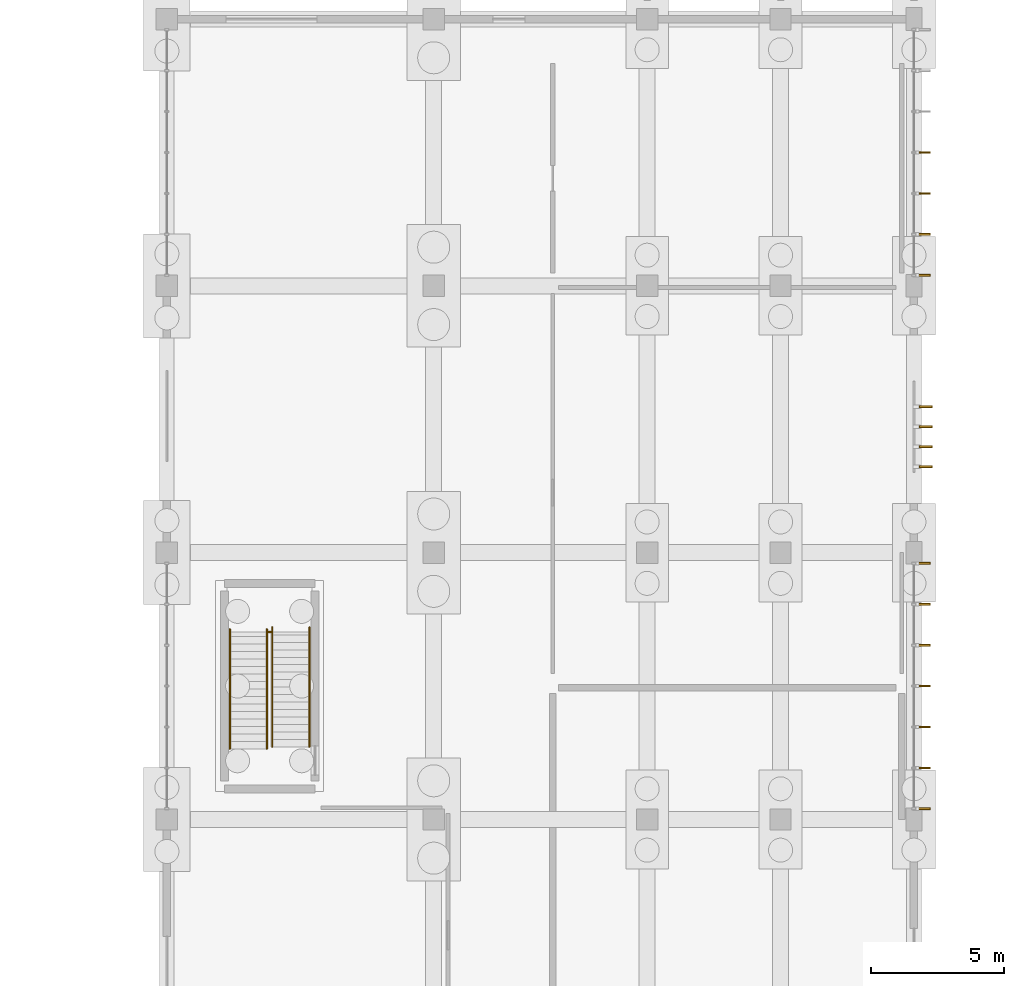
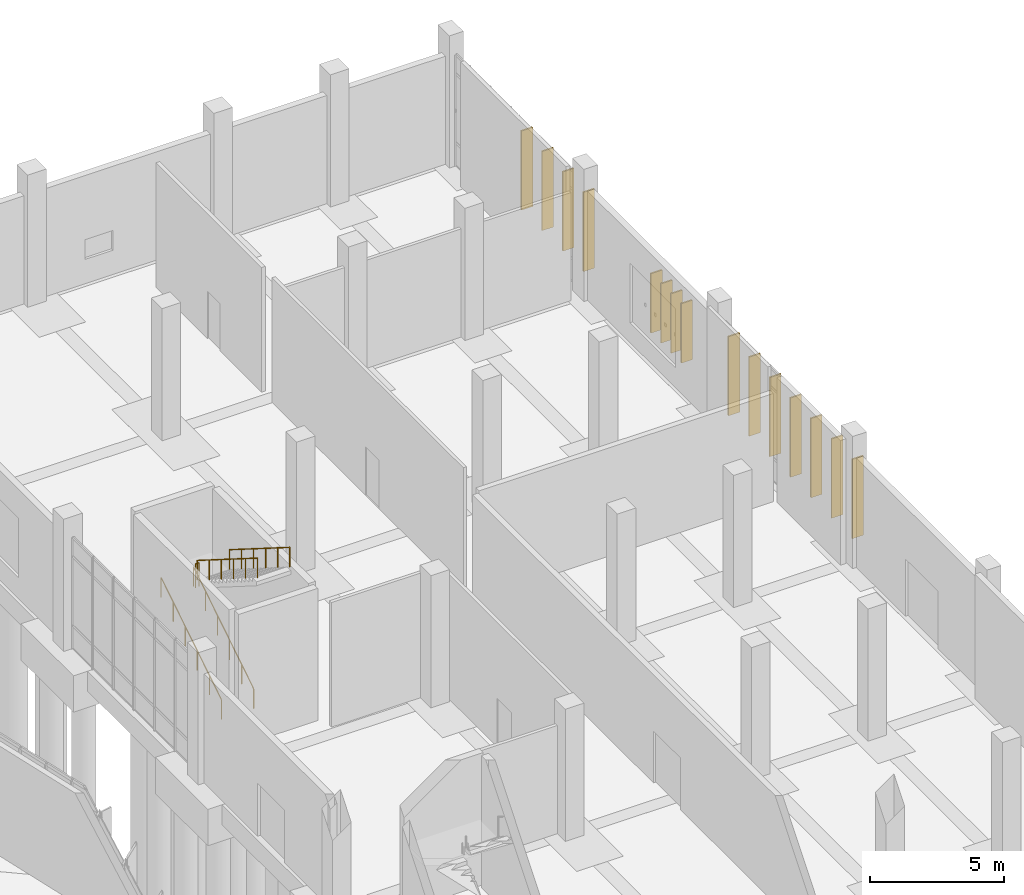
# One storey, part 136 of 140: 15 shading devices, 5 railings.
"""IFC4 building model written with IfcOpenShell, lengths in metres."""

import ifcopenshell
import ifcopenshell.guid

model = None  # the IFC model being written
_history = None  # IfcOwnerHistory: only IFC2X3 demands one
_inside = {}  # id of a spatial element -> (the spatial element, [elements in it])
_under = {}  # id of a project, library or spatial element -> (it, [spatial elements below it])
_declared = {}  # id of a project -> (the project, [libraries it declares])
_typed = {}  # id of a type object -> (the type object, [elements of that type])
_made_of = {}  # id of a material, layer set ... -> (it, [elements and type objects made of it])


def new_model(schema):
    """Start an empty IFC model of exactly this schema.

    Asked for "IFC4X3", IfcOpenShell would pick the latest addendum, in which some entities
    have other attributes; the version numbers below select the first issue.
    IFC2X3 requires an IfcOwnerHistory on every rooted entity: one is made here for all.
    """
    global model, _history
    if schema == "IFC4X3":
        model = ifcopenshell.file(schema_version=(4, 3, 0, 0))
    else:
        model = ifcopenshell.file(schema=schema)
    _inside.clear()
    _under.clear()
    _declared.clear()
    _typed.clear()
    _made_of.clear()
    _history = None
    if model.schema == "IFC2X3":
        org = make("IfcOrganization", Name="unknown")
        user = make(
            "IfcPersonAndOrganization",
            ThePerson=make("IfcPerson", FamilyName="unknown"),
            TheOrganization=org,
        )
        app = make(
            "IfcApplication",
            ApplicationDeveloper=org,
            Version="unknown",
            ApplicationFullName="unknown",
            ApplicationIdentifier="unknown",
        )
        _history = make(
            "IfcOwnerHistory",
            OwningUser=user,
            OwningApplication=app,
            ChangeAction="ADDED",
            CreationDate=0,
        )
    return model


def make(cls, **values):
    """One entity of the class cls with the attributes given. An attribute that is None is left unset."""
    return model.create_entity(
        cls, **{name: value for name, value in values.items() if value is not None}
    )


def rooted(cls, **values):
    """An entity with a GlobalId (a new one), such as an element, a storey or a relation."""
    return make(cls, GlobalId=ifcopenshell.guid.new(), OwnerHistory=_history, **values)


def si_unit(unit_type, name, prefix=None):
    """IfcSIUnit, for example si_unit("LENGTHUNIT", "METRE", prefix="MILLI")."""
    return make("IfcSIUnit", UnitType=unit_type, Prefix=prefix, Name=name)


def assignment(units):
    """IfcUnitAssignment: the units of a project."""
    return None if units is None else make("IfcUnitAssignment", Units=units)


def point(xyz):
    """IfcCartesianPoint."""
    return None if xyz is None else make("IfcCartesianPoint", Coordinates=xyz)


def direction(xyz):
    """IfcDirection."""
    return None if xyz is None else make("IfcDirection", DirectionRatios=xyz)


def frame(location, z_axis=None, x_axis=None):
    """IfcAxis2Placement3D, a coordinate frame: its origin and axes. An axis left out is left unset."""
    return make(
        "IfcAxis2Placement3D",
        Location=point(location),
        Axis=direction(z_axis),
        RefDirection=direction(x_axis),
    )


def frame_2d(location, x_axis=None):
    """IfcAxis2Placement2D, a coordinate frame in the plane: its origin and x axis."""
    return make(
        "IfcAxis2Placement2D", Location=point(location), RefDirection=direction(x_axis)
    )


def origin():
    """The frame at (0, 0, 0) with its axes left unset."""
    return frame((0.0, 0.0, 0.0))


def origin_2d():
    """The frame at (0, 0) in the plane with its x axis left unset."""
    return frame_2d((0.0, 0.0))


def place(relative_to, where):
    """IfcLocalPlacement: puts the frame where relative to a parent placement (None: the world)."""
    return make(
        "IfcLocalPlacement", PlacementRelTo=relative_to, RelativePlacement=where
    )


def context(
    kind, dimensions, precision=None, world=None, true_north=None, identifier=None
):
    """IfcGeometricRepresentationContext, for example the 3D "Model" context."""
    return make(
        "IfcGeometricRepresentationContext",
        ContextIdentifier=identifier,
        ContextType=kind,
        CoordinateSpaceDimension=dimensions,
        Precision=precision,
        WorldCoordinateSystem=world,
        TrueNorth=true_north,
    )


def subcontext(parent, identifier, kind, view, scale=None):
    """IfcGeometricRepresentationSubContext, for example "Body" below "Model"."""
    return make(
        "IfcGeometricRepresentationSubContext",
        ContextIdentifier=identifier,
        ContextType=kind,
        ParentContext=parent,
        TargetScale=scale,
        TargetView=view,
    )


def project(units=None, contexts=None):
    """IfcProject with its units and contexts."""
    return rooted(
        "IfcProject",
        Name="project",
        RepresentationContexts=contexts,
        UnitsInContext=assignment(units),
    )


def spatial(cls, under=None, at=None, **own):
    """A site, building, storey or space (cls), placed at a placement, below another one or the project."""
    s = rooted(cls, ObjectPlacement=at, **own)
    if under is not None:
        _under.setdefault(under.id(), (under, []))[1].append(s)
    return s


def profile(cls, at=None, kind="AREA", **sizes):
    """A parametric profile (cls). Its sizes go by their IFC names, for example OverallWidth=200.0."""
    return make(cls, ProfileType=kind, Position=at, **sizes)


def rectangle(**sizes):
    """IfcRectangleProfileDef."""
    return profile("IfcRectangleProfileDef", **sizes)


def circle(**sizes):
    """IfcCircleProfileDef."""
    return profile("IfcCircleProfileDef", **sizes)


def extrude(swept, where, along, depth):
    """IfcExtrudedAreaSolid: the profile swept, set in the frame where, extruded along a direction by depth."""
    return make(
        "IfcExtrudedAreaSolid",
        SweptArea=swept,
        Position=where,
        ExtrudedDirection=direction(along),
        Depth=depth,
    )


def shape(context_of_items, identifier, shape_type, items):
    """IfcShapeRepresentation: the items that make up one representation, for example the "Body"."""
    return make(
        "IfcShapeRepresentation",
        ContextOfItems=context_of_items,
        RepresentationIdentifier=identifier,
        RepresentationType=shape_type,
        Items=items,
    )


def material(Name=None, Category=None):
    """IfcMaterial."""
    return make("IfcMaterial", Name=Name, Category=Category)


def layer(
    of_material, thickness, ventilated=None, Name=None, Category=None, Priority=None
):
    """IfcMaterialLayer: one layer of a wall or slab, of a material (None: an air gap)."""
    return make(
        "IfcMaterialLayer",
        Material=of_material,
        LayerThickness=thickness,
        IsVentilated=ventilated,
        Name=Name,
        Category=Category,
        Priority=Priority,
    )


def layer_set(layers, Name=None):
    """IfcMaterialLayerSet."""
    return make("IfcMaterialLayerSet", MaterialLayers=layers, LayerSetName=Name)


def made_of(thing, what):
    """Note that an element or type object is made of a material, layer set ...; save() writes the relation."""
    if what is not None:
        _made_of.setdefault(what.id(), (what, []))[1].append(thing)
    return thing


def type_object(cls, material=None, **own):
    """A type object (cls), such as IfcWallType, which elements share."""
    return made_of(rooted(cls, **own), material)


def element(
    cls,
    number,
    at=None,
    inside=None,
    cuts=None,
    type_object=None,
    material=None,
    context=None,
    identifier="Body",
    shape_type=None,
    held_by="IfcProductDefinitionShape",
    body=None,
    shapes=None,
    **own,
):
    """One element of the class cls, such as IfcWall. Its Tag is "e" and its number.

    at: its placement. inside: the storey or other place that contains it. cuts: it is an
    opening in that element (IfcRelVoidsElement). A single representation is given by context,
    identifier, shape_type and body (its items); several are given by shapes. held_by: the class
    of the entity that holds the representations. save() writes the other relations.
    """
    e = rooted(cls, Tag="e%d" % number, ObjectPlacement=at, **own)
    if body is not None:
        shapes = [shape(context, identifier, shape_type, body)]
    if shapes is not None:
        e.Representation = make(held_by, Representations=shapes)
    if inside is not None:
        _inside.setdefault(inside.id(), (inside, []))[1].append(e)
    if cuts is not None:
        rooted(
            "IfcRelVoidsElement", RelatingBuildingElement=cuts, RelatedOpeningElement=e
        )
    if type_object is not None:
        _typed.setdefault(type_object.id(), (type_object, []))[1].append(e)
    return made_of(e, material)


def aggregate(whole, parts):
    """IfcRelAggregates: a whole, such as a stair, and the parts it consists of."""
    return rooted("IfcRelAggregates", RelatingObject=whole, RelatedObjects=parts)


def save(model, path):
    """Write the relations noted so far, then the file.

    IfcRelAggregates (storeys below a building ...), IfcRelContainedInSpatialStructure (elements
    in a storey), IfcRelDefinesByType, IfcRelAssociatesMaterial and IfcRelDeclares: one each for
    every whole, place, type object, material and project.
    """
    for whole, parts in _under.values():
        aggregate(whole, parts)
    for where, things in _inside.values():
        rooted(
            "IfcRelContainedInSpatialStructure",
            RelatedElements=things,
            RelatingStructure=where,
        )
    for kind, things in _typed.values():
        rooted("IfcRelDefinesByType", RelatedObjects=things, RelatingType=kind)
    for what, things in _made_of.values():
        rooted("IfcRelAssociatesMaterial", RelatedObjects=things, RelatingMaterial=what)
    for by, libraries in _declared.values():
        rooted("IfcRelDeclares", RelatingContext=by, RelatedDefinitions=libraries)
    model.write(path)


model = new_model("IFC4")

# Units and contexts
model_context = context("Model", 3, precision=1e-05, world=origin(), true_north=direction((0.0, 1.0)))
body_context = subcontext(model_context, "Body", "Model", "MODEL_VIEW")
ifc_project = project(units=[si_unit("LENGTHUNIT", "METRE"), si_unit("AREAUNIT", "SQUARE_METRE"), si_unit("VOLUMEUNIT", "CUBIC_METRE"), si_unit("PLANEANGLEUNIT", "RADIAN"), si_unit("MASSUNIT", "GRAM", prefix="KILO")], contexts=[model_context])

# Site, building, storey
site_placement = place(None, origin())
site = spatial("IfcSite", under=ifc_project, at=site_placement, CompositionType="ELEMENT")
building_placement = place(site_placement, origin())
building = spatial("IfcBuilding", under=site, at=building_placement, Name="Corvandel Quay Wholesale Market", CompositionType="ELEMENT")
storey_placement = place(building_placement, origin())
storey = spatial("IfcBuildingStorey", under=building, at=storey_placement, Name="L00", CompositionType="ELEMENT", Elevation=0.0)

# Railings
ifc_material_1 = material(Name="Painted galvanised tubular steel", Category="steel")
ifc_layer_1 = layer(ifc_material_1, 0.054931640625)
ifc_layer_set_1 = layer_set([ifc_layer_1], Name="Painted galvanised tubular steel")
railing_type_1 = type_object("IfcRailingType", Name="Stairwell Inner Guard Railing GR02 1100mm", PredefinedType="GUARDRAIL", material=ifc_layer_set_1)
railing_placement = place(storey_placement, frame((223.77001953125, 87.030029296875, 3.0)))
element("IfcRailing", 1, at=railing_placement, inside=storey, type_object=railing_type_1, Name="Stair Landing Well Guard 0210", PredefinedType="GUARDRAIL", context=body_context, shape_type="SweptSolid", body=[
    extrude(circle(Radius=0.02392578125, at=origin_2d()), frame((0.0, 0.0, 1.076171875), z_axis=(1.0, 0.0, 0.0), x_axis=(0.0, 1.0, 0.0)), (0.0, 0.0, 1.0), 0.159912109375),
    extrude(circle(Radius=0.02099609375, at=origin_2d()), origin(), (0.0, 0.0, 1.0), 1.052001953125),
    extrude(circle(Radius=0.02099609375, at=origin_2d()), frame((0.159912109375, 0.0, 0.0)), (0.0, 0.0, 1.0), 1.052001953125),
])
ifc_material_2 = material(Name="Brushed austenitic stainless steel Grade 316", Category="steel")
ifc_layer_2 = layer(ifc_material_2, 0.048095703125)
ifc_layer_set_2 = layer_set([ifc_layer_2], Name="Brushed austenitic stainless steel Grade 316")
railing_type_2 = type_object("IfcRailingType", Name="Tubular Stainless Stair Handrail HR01 915mm", PredefinedType="HANDRAIL", material=ifc_layer_set_2)
for number, where, name in (
    (2, (222.360107421875, 82.64990234375, 0.176513671875), "Stair Handrail 0206"),
    (3, (223.75, 82.64990234375, 0.176513671875), "Stair Handrail 0207"),
):
    element("IfcRailing", number, at=place(storey_placement, frame(where)), inside=storey, type_object=railing_type_2, Name=name, PredefinedType="HANDRAIL", context=body_context, shape_type="SweptSolid", body=[
        extrude(circle(Radius=0.02392578125, at=origin_2d()), frame((0.0, 0.0, 0.89111328125), z_axis=(0.0, 0.845997938375, 0.533186166611), x_axis=(-1.0, 0.0, 0.0)), (0.0, 0.0, 1.0), 5.29541015625),
        extrude(circle(Radius=0.02099609375, at=origin_2d()), origin(), (0.0, 0.0, 1.0), 0.866943359375),
        extrude(circle(Radius=0.02099609375, at=origin_2d()), frame((0.0, 0.89599609375, 0.564697265625)), (0.0, 0.0, 1.0), 0.866943359375),
        extrude(circle(Radius=0.02099609375, at=origin_2d()), frame((0.0, 1.7919921875, 1.12939453125)), (0.0, 0.0, 1.0), 0.866943359375),
        extrude(circle(Radius=0.02099609375, at=origin_2d()), frame((0.0, 2.68798828125, 1.694091796875)), (0.0, 0.0, 1.0), 0.866943359375),
        extrude(circle(Radius=0.02099609375, at=origin_2d()), frame((0.0, 3.583984375, 2.2587890625)), (0.0, 0.0, 1.0), 0.866943359375),
        extrude(circle(Radius=0.02099609375, at=origin_2d()), frame((0.0, 4.47998046875, 2.823486328125)), (0.0, 0.0, 1.0), 0.866943359375),
    ])
for number, where, name in (
    (4, (223.949951171875, 87.199951171875, 3.176513671875), "Stair Handrail 0208"),
    (5, (225.340087890625, 87.199951171875, 3.176513671875), "Stair Handrail 0209"),
):
    element("IfcRailing", number, at=place(storey_placement, frame(where)), inside=storey, type_object=railing_type_2, Name=name, PredefinedType="HANDRAIL", context=body_context, shape_type="SweptSolid", body=[
        extrude(circle(Radius=0.02392578125, at=origin_2d()), frame((0.0, 0.0, 0.89111328125), z_axis=(0.0, -0.845997938375, 0.533186166611), x_axis=(1.0, 0.0, 0.0)), (0.0, 0.0, 1.0), 5.29541015625),
        extrude(circle(Radius=0.02099609375, at=origin_2d()), origin(), (0.0, 0.0, 1.0), 0.866943359375),
        extrude(circle(Radius=0.02099609375, at=origin_2d()), frame((0.0, -0.89599609375, 0.564697265625)), (0.0, 0.0, 1.0), 0.866943359375),
        extrude(circle(Radius=0.02099609375, at=origin_2d()), frame((0.0, -1.7919921875, 1.12939453125)), (0.0, 0.0, 1.0), 0.866943359375),
        extrude(circle(Radius=0.02099609375, at=origin_2d()), frame((0.0, -2.68798828125, 1.694091796875)), (0.0, 0.0, 1.0), 0.866943359375),
        extrude(circle(Radius=0.02099609375, at=origin_2d()), frame((0.0, -3.583984375, 2.2587890625)), (0.0, 0.0, 1.0), 0.866943359375),
        extrude(circle(Radius=0.02099609375, at=origin_2d()), frame((0.0, -4.47998046875, 2.823486328125)), (0.0, 0.0, 1.0), 0.866943359375),
    ])

# Shading devices
ifc_material_3 = material(Name="Bronze anodised extruded aluminium 6063-T6", Category="aluminium")
shading_device_type = type_object("IfcShadingDeviceType", Name="Vertical Anodised Bronze Solar Fin FN01 480mm", PredefinedType="JALOUSIE", material=ifc_material_3)
for number, where, z_axis, x_axis, name in (
    (6, (248.3798828125, 80.39990234375, 0.724853515625), (0.0, 0.0, 1.0), (1.0, 0.0, 0.0), "Solar Fin 0614"),
    (7, (248.3798828125, 81.933349609375, 0.724853515625), (0.0, 0.0, 1.0), (1.0, 0.0, 0.0), "Solar Fin 0615"),
    (8, (248.3798828125, 83.466796875, 0.724853515625), (0.0, 0.0, 1.0), (1.0, 0.0, 0.0), "Solar Fin 0616"),
    (9, (248.3798828125, 85.0, 0.724853515625), (0.0, 0.0, 1.0), (1.0, 0.0, 0.0), "Solar Fin 0617"),
    (10, (248.3798828125, 86.533203125, 0.724853515625), (0.0, 0.0, 1.0), (1.0, 0.0, 0.0), "Solar Fin 0618"),
    (11, (248.3798828125, 88.066650390625, 0.724853515625), (0.0, 0.0, 1.0), (1.0, 0.0, 0.0), "Solar Fin 0619"),
    (12, (248.3798828125, 89.60009765625, 0.724853515625), (0.0, 0.0, 1.0), (1.0, 0.0, 0.0), "Solar Fin 0620"),
):
    element("IfcShadingDevice", number, at=place(storey_placement, frame(where, z_axis=z_axis, x_axis=x_axis)), inside=storey, type_object=shading_device_type, Name=name, PredefinedType="JALOUSIE", context=body_context, shape_type="SweptSolid", body=[
        extrude(rectangle(XDim=0.47998046875, YDim=0.06494140625, at=origin_2d()), origin(), (0.0, 0.0, 1.0), 3.60009765625),
    ])
for number, where, z_axis, x_axis, name in (
    (13, (248.43994140625, 93.219970703125, 0.89990234375), (0.0, 0.0, 1.0), (1.0, 0.0, 0.0), "Solar Fin 0621"),
    (14, (248.43994140625, 93.969970703125, 0.89990234375), (0.0, 0.0, 1.0), (1.0, 0.0, 0.0), "Solar Fin 0622"),
    (15, (248.43994140625, 94.719970703125, 0.89990234375), (0.0, 0.0, 1.0), (1.0, 0.0, 0.0), "Solar Fin 0623"),
    (16, (248.43994140625, 95.469970703125, 0.89990234375), (0.0, 0.0, 1.0), (1.0, 0.0, 0.0), "Solar Fin 0624"),
):
    element("IfcShadingDevice", number, at=place(storey_placement, frame(where, z_axis=z_axis, x_axis=x_axis)), inside=storey, type_object=shading_device_type, Name=name, PredefinedType="JALOUSIE", context=body_context, shape_type="SweptSolid", body=[
        extrude(rectangle(XDim=0.47998046875, YDim=0.06494140625, at=origin_2d()), origin(), (0.0, 0.0, 1.0), 2.699951171875),
    ])
for number, where, z_axis, x_axis, name in (
    (17, (248.3798828125, 100.39990234375, 0.724853515625), (0.0, 0.0, 1.0), (1.0, 0.0, 0.0), "Solar Fin 0625"),
    (18, (248.3798828125, 101.933349609375, 0.724853515625), (0.0, 0.0, 1.0), (1.0, 0.0, 0.0), "Solar Fin 0626"),
    (19, (248.3798828125, 103.466796875, 0.724853515625), (0.0, 0.0, 1.0), (1.0, 0.0, 0.0), "Solar Fin 0627"),
    (20, (248.3798828125, 105.0, 0.724853515625), (0.0, 0.0, 1.0), (1.0, 0.0, 0.0), "Solar Fin 0628"),
):
    element("IfcShadingDevice", number, at=place(storey_placement, frame(where, z_axis=z_axis, x_axis=x_axis)), inside=storey, type_object=shading_device_type, Name=name, PredefinedType="JALOUSIE", context=body_context, shape_type="SweptSolid", body=[
        extrude(rectangle(XDim=0.47998046875, YDim=0.06494140625, at=origin_2d()), origin(), (0.0, 0.0, 1.0), 3.60009765625),
    ])

save(model, "model.ifc")
